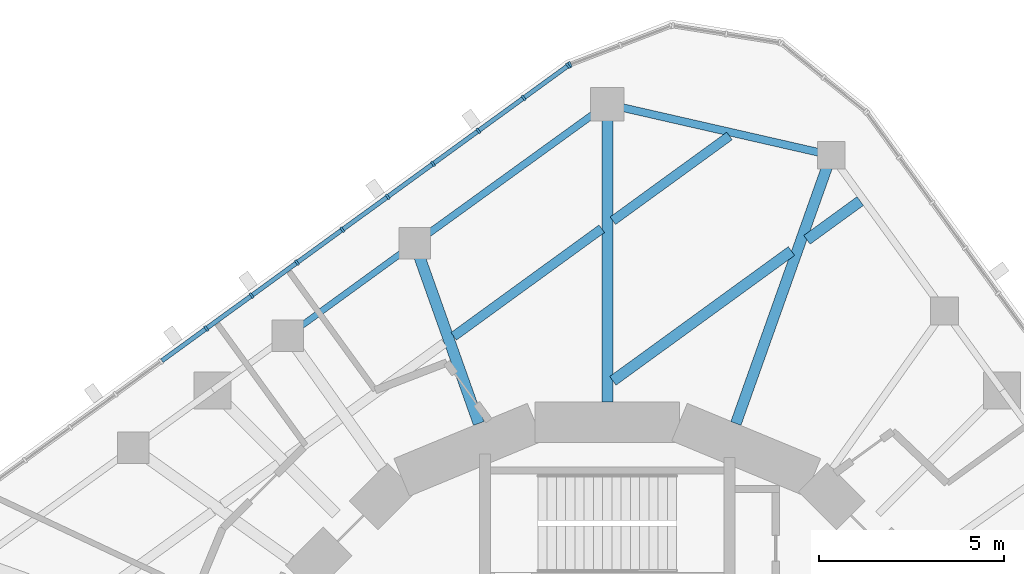
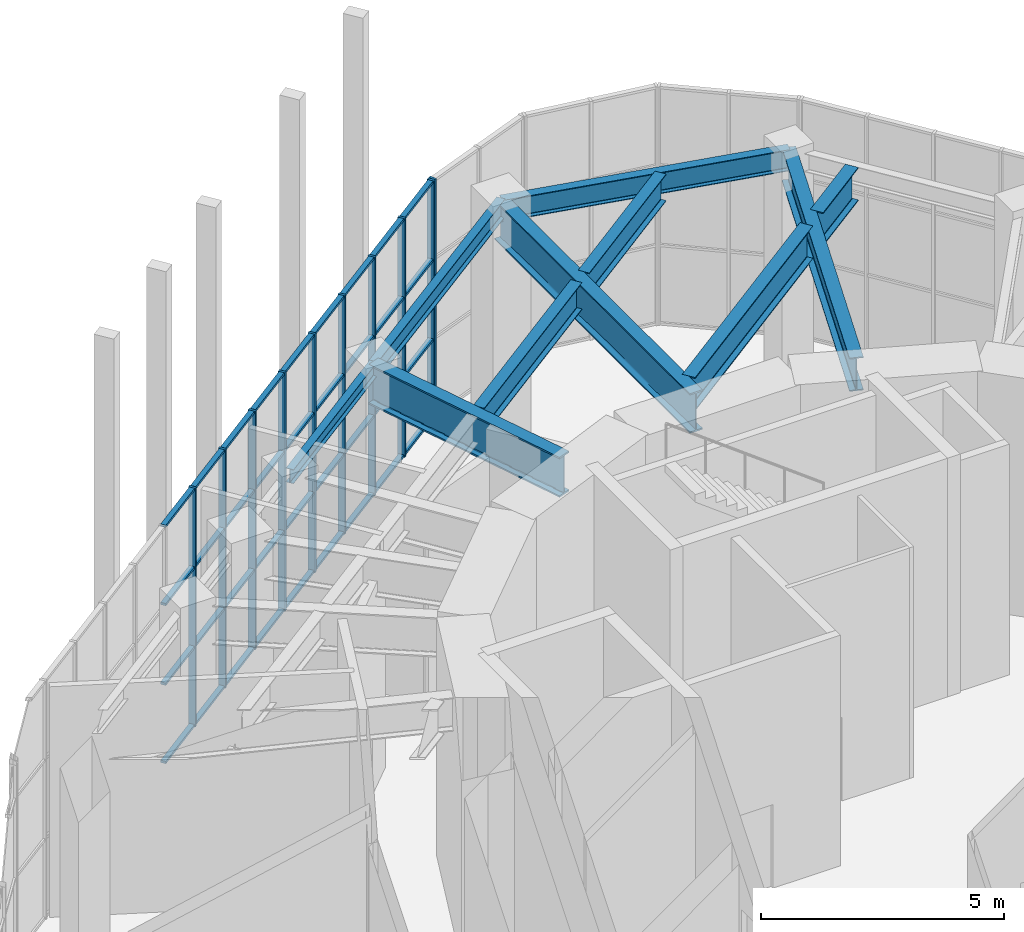
# One storey, part 9 of 17: 46 members, 10 beams, 2 elements without a shape of their own.
"""IFC4 building model written with IfcOpenShell, lengths in metres."""

from ifc_helpers import new_model, si_unit, direction, frame, origin, origin_2d, place, context, subcontext, project, spatial, rectangle, i_section, extrude, material, material_profile, profile_set, type_object, element, aggregate, save


model = new_model("IFC4")

# Units and contexts
model_context = context("Model", 3, precision=1e-05, world=origin(), true_north=direction((0.0, 1.0)))
body_context = subcontext(model_context, "Body", "Model", "MODEL_VIEW")
ifc_project = project(units=[si_unit("LENGTHUNIT", "METRE"), si_unit("AREAUNIT", "SQUARE_METRE"), si_unit("VOLUMEUNIT", "CUBIC_METRE"), si_unit("PLANEANGLEUNIT", "RADIAN"), si_unit("MASSUNIT", "GRAM", prefix="KILO")], contexts=[model_context])

# Site, building, storey
site_placement = place(None, origin())
site = spatial("IfcSite", under=ifc_project, at=site_placement, CompositionType="ELEMENT")
building_placement = place(site_placement, origin())
building = spatial("IfcBuilding", under=site, at=building_placement, Name="Nakasero Lantern House", CompositionType="ELEMENT")
storey_placement = place(building_placement, frame((0.0, 0.0, 298.39990234375)))
storey = spatial("IfcBuildingStorey", under=building, at=storey_placement, Name="L73", CompositionType="ELEMENT", Elevation=298.39990234375)

# Beams
ifc_material_1 = material(Name="Steel S355", Category="steel")
ifc_material_profile_1 = material_profile(ifc_material_1, i_section(OverallWidth=0.253662109375, OverallDepth=0.68359375, WebThickness=0.012451171875, FlangeThickness=0.01904296875, FilletRadius=0.01513671875, at=origin_2d()), Name="UB 686x254x140")
ifc_profile_set_1 = profile_set([ifc_material_profile_1], Name="Steel S355")
beam_type_1 = type_object("IfcBeamType", Name="Infill beam UB 686x254x140", PredefinedType="JOIST", material=ifc_profile_set_1)
beam_1_placement = place(storey_placement, frame((-4.151123046875, 12.125732421875, 5.458251953125), z_axis=(0.809000691709, 0.587807690333, 0.0), x_axis=(-0.587807690333, 0.809000691709, 0.0)))
element("IfcBeam", 1, at=beam_1_placement, inside=storey, type_object=beam_type_1, Name="Infill beam L74 10.6", PredefinedType="JOIST", context=body_context, shape_type="SweptSolid", body=[
    extrude(i_section(OverallWidth=0.253662109375, OverallDepth=0.68359375, WebThickness=0.012451171875, FlangeThickness=0.01904296875, FilletRadius=0.01513671875, at=origin_2d()), origin(), (0.0, 0.0, 1.0), 4.94580078125),
])
beam_2_placement = place(storey_placement, frame((0.14990234375, 15.250732421875, 5.458251953125), z_axis=(0.808996267662, 0.587813779107, 0.0), x_axis=(-0.587813779107, 0.808996267662, 0.0)))
element("IfcBeam", 2, at=beam_2_placement, inside=storey, type_object=beam_type_1, Name="Infill beam L74 10.7", PredefinedType="JOIST", context=body_context, shape_type="SweptSolid", body=[
    extrude(i_section(OverallWidth=0.253662109375, OverallDepth=0.68359375, WebThickness=0.012451171875, FlangeThickness=0.01904296875, FilletRadius=0.01513671875, at=origin_2d()), origin(), (0.0, 0.0, 1.0), 3.894287109375),
])
ifc_material_2 = material(Name="Steel S355", Category="steel")
ifc_material_profile_2 = material_profile(ifc_material_2, i_section(OverallWidth=0.29248046875, OverallDepth=0.8408203125, WebThickness=0.0146484375, FlangeThickness=0.02685546875, FilletRadius=0.017822265625, at=origin_2d()), Name="UB 838x292x194")
ifc_profile_set_2 = profile_set([ifc_material_profile_2], Name="Steel S355")
beam_type_2 = type_object("IfcBeamType", Name="Infill beam UB 838x292x194", PredefinedType="JOIST", material=ifc_profile_set_2)
beam_3_placement = place(storey_placement, frame((0.14990234375, 10.924560546875, 5.379638671875), z_axis=(0.809028012961, 0.587770086211, 0.0), x_axis=(-0.587770086211, 0.809028012961, 0.0)))
element("IfcBeam", 3, at=beam_3_placement, inside=storey, type_object=beam_type_2, Name="Infill beam L74 09.3", PredefinedType="JOIST", context=body_context, shape_type="SweptSolid", body=[
    extrude(i_section(OverallWidth=0.29248046875, OverallDepth=0.8408203125, WebThickness=0.0146484375, FlangeThickness=0.02685546875, FilletRadius=0.017822265625, at=origin_2d()), origin(), (0.0, 0.0, 1.0), 5.965087890625),
])
beam_4_placement = place(storey_placement, frame((5.394287109375, 14.734619140625, 5.379638671875), z_axis=(0.809008801443, 0.587796528731, 0.0), x_axis=(-0.587796528731, 0.809008801443, 0.0)))
element("IfcBeam", 4, at=beam_4_placement, inside=storey, type_object=beam_type_2, Name="Infill beam L74 09.4", PredefinedType="JOIST", context=body_context, shape_type="SweptSolid", body=[
    extrude(i_section(OverallWidth=0.29248046875, OverallDepth=0.8408203125, WebThickness=0.0146484375, FlangeThickness=0.02685546875, FilletRadius=0.017822265625, at=origin_2d()), origin(), (0.0, 0.0, 1.0), 1.7802734375),
])

# Curtain wall, member
ifc_material_3 = material(Name="Aluminium 6063-T6 and glass", Category="aluminium")
curtain_wall_type = type_object("IfcCurtainWallType", Name="Lantern glazing CW-4", PredefinedType="USERDEFINED", material=ifc_material_3)
curtain_wall_1_placement = place(storey_placement, origin())
curtain_wall_1 = element("IfcCurtainWall", 5, at=curtain_wall_1_placement, inside=storey, type_object=curtain_wall_type, Name="Curtain wall CW-4 L73", ObjectType="UNITISED CURTAIN WALL", PredefinedType="USERDEFINED")
ifc_material_4 = material(Name="Aluminium 6063-T6", Category="aluminium")
ifc_material_profile_3 = material_profile(ifc_material_4, rectangle(XDim=0.06005859375, YDim=0.159912109375, at=origin_2d()), Name="CW-4 mullion 60x160")
ifc_profile_set_3 = profile_set([ifc_material_profile_3], Name="Aluminium 6063-T6")
member_type_1 = type_object("IfcMemberType", Name="Mullion CW-4", PredefinedType="MULLION", material=ifc_profile_set_3)
member_1_placement = place(storey_placement, frame((-1.006591796875, 19.46875, 0.0), z_axis=(0.0, 0.0, 1.0), x_axis=(-0.933580426497, -0.358367949545, 0.0)))
member_1 = element("IfcMember", 6, at=member_1_placement, type_object=member_type_1, Name="CW-4 mullion 3", PredefinedType="MULLION", context=body_context, shape_type="SweptSolid", body=[
    extrude(rectangle(XDim=0.06005859375, YDim=0.159912109375, at=origin_2d()), origin(), (0.0, 0.0, 1.0), 6.0),
])
aggregate(curtain_wall_1, [member_1])

# Curtain wall, members
curtain_wall_2_placement = place(storey_placement, origin())
curtain_wall_2 = element("IfcCurtainWall", 7, at=curtain_wall_2_placement, inside=storey, type_object=curtain_wall_type, Name="Curtain wall CW-4 L73", ObjectType="UNITISED CURTAIN WALL", PredefinedType="USERDEFINED")
member_2_placement = place(storey_placement, frame((-1.05908203125, 19.4404296875, 0.0), z_axis=(0.0, 0.0, 1.0), x_axis=(-0.809016994375, -0.587785252292, 0.0)))
member_2 = element("IfcMember", 8, at=member_2_placement, type_object=member_type_1, Name="CW-4 mullion 1", PredefinedType="MULLION", context=body_context, shape_type="SweptSolid", body=[
    extrude(rectangle(XDim=0.06005859375, YDim=0.159912109375, at=origin_2d()), origin(), (0.0, 0.0, 1.0), 6.0),
])
member_3_placement = place(storey_placement, frame((-2.259765625, 18.56787109375, 0.0), z_axis=(0.0, 0.0, 1.0), x_axis=(-0.809016994375, -0.587785252292, 0.0)))
member_3 = element("IfcMember", 9, at=member_3_placement, type_object=member_type_1, Name="CW-4 mullion 2", PredefinedType="MULLION", context=body_context, shape_type="SweptSolid", body=[
    extrude(rectangle(XDim=0.06005859375, YDim=0.159912109375, at=origin_2d()), origin(), (0.0, 0.0, 1.0), 6.0),
])
member_4_placement = place(storey_placement, frame((-3.48486328125, 17.677734375, 0.0), z_axis=(0.0, 0.0, 1.0), x_axis=(-0.809016994375, -0.587785252292, 0.0)))
member_4 = element("IfcMember", 10, at=member_4_placement, type_object=member_type_1, Name="CW-4 mullion 3", PredefinedType="MULLION", context=body_context, shape_type="SweptSolid", body=[
    extrude(rectangle(XDim=0.06005859375, YDim=0.159912109375, at=origin_2d()), origin(), (0.0, 0.0, 1.0), 6.0),
])
member_5_placement = place(storey_placement, frame((-4.7099609375, 16.787841796875, 0.0), z_axis=(0.0, 0.0, 1.0), x_axis=(-0.809016994375, -0.587785252292, 0.0)))
member_5 = element("IfcMember", 11, at=member_5_placement, type_object=member_type_1, Name="CW-4 mullion 4", PredefinedType="MULLION", context=body_context, shape_type="SweptSolid", body=[
    extrude(rectangle(XDim=0.06005859375, YDim=0.159912109375, at=origin_2d()), origin(), (0.0, 0.0, 1.0), 6.0),
])
member_6_placement = place(storey_placement, frame((-5.93505859375, 15.897705078125, 0.0), z_axis=(0.0, 0.0, 1.0), x_axis=(-0.809016994375, -0.587785252292, 0.0)))
member_6 = element("IfcMember", 12, at=member_6_placement, type_object=member_type_1, Name="CW-4 mullion 5", PredefinedType="MULLION", context=body_context, shape_type="SweptSolid", body=[
    extrude(rectangle(XDim=0.06005859375, YDim=0.159912109375, at=origin_2d()), origin(), (0.0, 0.0, 1.0), 6.0),
])
member_7_placement = place(storey_placement, frame((-7.16015625, 15.007568359375, 0.0), z_axis=(0.0, 0.0, 1.0), x_axis=(-0.809016994375, -0.587785252292, 0.0)))
member_7 = element("IfcMember", 13, at=member_7_placement, type_object=member_type_1, Name="CW-4 mullion 6", PredefinedType="MULLION", context=body_context, shape_type="SweptSolid", body=[
    extrude(rectangle(XDim=0.06005859375, YDim=0.159912109375, at=origin_2d()), origin(), (0.0, 0.0, 1.0), 6.0),
])
member_8_placement = place(storey_placement, frame((-8.38525390625, 14.117431640625, 0.0), z_axis=(0.0, 0.0, 1.0), x_axis=(-0.809016994375, -0.587785252292, 0.0)))
member_8 = element("IfcMember", 14, at=member_8_placement, type_object=member_type_1, Name="CW-4 mullion 7", PredefinedType="MULLION", context=body_context, shape_type="SweptSolid", body=[
    extrude(rectangle(XDim=0.06005859375, YDim=0.159912109375, at=origin_2d()), origin(), (0.0, 0.0, 1.0), 6.0),
])
member_9_placement = place(storey_placement, frame((-9.6103515625, 13.2275390625, 0.0), z_axis=(0.0, 0.0, 1.0), x_axis=(-0.809016994375, -0.587785252292, 0.0)))
member_9 = element("IfcMember", 15, at=member_9_placement, type_object=member_type_1, Name="CW-4 mullion 8", PredefinedType="MULLION", context=body_context, shape_type="SweptSolid", body=[
    extrude(rectangle(XDim=0.06005859375, YDim=0.159912109375, at=origin_2d()), origin(), (0.0, 0.0, 1.0), 6.0),
])
member_10_placement = place(storey_placement, frame((-10.83544921875, 12.33740234375, 0.0), z_axis=(0.0, 0.0, 1.0), x_axis=(-0.809016994375, -0.587785252292, 0.0)))
member_10 = element("IfcMember", 16, at=member_10_placement, type_object=member_type_1, Name="CW-4 mullion 9", PredefinedType="MULLION", context=body_context, shape_type="SweptSolid", body=[
    extrude(rectangle(XDim=0.06005859375, YDim=0.159912109375, at=origin_2d()), origin(), (0.0, 0.0, 1.0), 6.0),
])

# Beams
ifc_material_5 = material(Name="Steel S355", Category="steel")
ifc_material_profile_4 = material_profile(ifc_material_5, i_section(OverallWidth=0.300048828125, OverallDepth=1.0, WebThickness=0.01904296875, FlangeThickness=0.035888671875, FilletRadius=0.030029296875, at=origin_2d()), Name="UB 1016x305x314")
ifc_profile_set_4 = profile_set([ifc_material_profile_4], Name="Steel S355")
beam_type_3 = type_object("IfcBeamType", Name="Primary beam UB 1016x305x314, span 6 to 9 m", PredefinedType="BEAM", material=ifc_profile_set_4)
beam_5_placement = place(storey_placement, frame((0.0, 18.39990234375, 5.300048828125), z_axis=(0.0, -1.0, 0.0), x_axis=(1.0, 0.0, 0.0)))
element("IfcBeam", 17, at=beam_5_placement, inside=storey, type_object=beam_type_3, Name="Primary beam L74 B7-C09", PredefinedType="BEAM", context=body_context, shape_type="SweptSolid", body=[
    extrude(i_section(OverallWidth=0.300048828125, OverallDepth=1.0, WebThickness=0.01904296875, FlangeThickness=0.035888671875, FilletRadius=0.030029296875, at=origin_2d()), origin(), (0.0, 0.0, 1.0), 8.0419921875),
])
ifc_material_6 = material(Name="Steel S355", Category="steel")
ifc_material_profile_5 = material_profile(ifc_material_6, i_section(OverallWidth=0.302001953125, OverallDepth=1.008056640625, WebThickness=0.02099609375, FlangeThickness=0.0400390625, FilletRadius=0.030029296875, at=origin_2d()), Name="UB 1016x305x349")
ifc_profile_set_5 = profile_set([ifc_material_profile_5], Name="Steel S355")
beam_type_4 = type_object("IfcBeamType", Name="Primary beam UB 1016x305x349, span to 6 m", PredefinedType="BEAM", material=ifc_profile_set_5)
beam_6_placement = place(storey_placement, frame((-5.2041015625, 14.636474609375, 5.296142578125), z_axis=(0.3349910093, -0.942221324153, 0.0), x_axis=(0.942221324153, 0.3349910093, 0.0)))
element("IfcBeam", 18, at=beam_6_placement, inside=storey, type_object=beam_type_4, Name="Primary beam L74 B7-C10", PredefinedType="BEAM", context=body_context, shape_type="SweptSolid", body=[
    extrude(i_section(OverallWidth=0.302001953125, OverallDepth=1.008056640625, WebThickness=0.02099609375, FlangeThickness=0.0400390625, FilletRadius=0.030029296875, at=origin_2d()), origin(), (0.0, 0.0, 1.0), 5.162841796875),
])
ifc_material_7 = material(Name="Steel S355", Category="steel")
ifc_material_profile_6 = material_profile(ifc_material_7, i_section(OverallWidth=0.29248046875, OverallDepth=0.8408203125, WebThickness=0.0146484375, FlangeThickness=0.02685546875, FilletRadius=0.017822265625, at=origin_2d()), Name="UB 838x292x194")
ifc_profile_set_6 = profile_set([ifc_material_profile_6], Name="Steel S355")
beam_type_5 = type_object("IfcBeamType", Name="Primary beam UB 838x292x194, span 6 to 9 m", PredefinedType="BEAM", material=ifc_profile_set_6)
beam_7_placement = place(storey_placement, frame((6.051513671875, 17.02001953125, 5.379638671875), z_axis=(-0.334989005521, -0.942222036561, 0.0), x_axis=(0.942222036561, -0.334989005521, 0.0)))
element("IfcBeam", 19, at=beam_7_placement, inside=storey, type_object=beam_type_5, Name="Primary beam L74 B7-C08", PredefinedType="BEAM", context=body_context, shape_type="SweptSolid", body=[
    extrude(i_section(OverallWidth=0.29248046875, OverallDepth=0.8408203125, WebThickness=0.0146484375, FlangeThickness=0.02685546875, FilletRadius=0.017822265625, at=origin_2d()), origin(), (0.0, 0.0, 1.0), 7.6923828125),
])
ifc_material_8 = material(Name="Steel S355", Category="steel")
ifc_material_profile_7 = material_profile(ifc_material_8, i_section(OverallWidth=0.17138671875, OverallDepth=0.35498046875, WebThickness=0.00732421875, FlangeThickness=0.011474609375, FilletRadius=0.01025390625, at=origin_2d()), Name="UB 356x171x51")
ifc_profile_set_7 = profile_set([ifc_material_profile_7], Name="Steel S355")
beam_type_6 = type_object("IfcBeamType", Name="Ring beam UB 356x171x51", PredefinedType="BEAM", material=ifc_profile_set_7)
beam_8_placement = place(storey_placement, frame((-5.2041015625, 14.636474609375, 5.62255859375), z_axis=(-0.809012304944, -0.587791706687, 0.0), x_axis=(0.587791706687, -0.809012304944, 0.0)))
element("IfcBeam", 20, at=beam_8_placement, inside=storey, type_object=beam_type_6, Name="Ring beam L74 B7-C10", PredefinedType="BEAM", context=body_context, shape_type="SweptSolid", body=[
    extrude(i_section(OverallWidth=0.17138671875, OverallDepth=0.35498046875, WebThickness=0.00732421875, FlangeThickness=0.011474609375, FilletRadius=0.01025390625, at=origin_2d()), origin(), (0.0, 0.0, 1.0), 4.2412109375),
])
ifc_material_9 = material(Name="Steel S355", Category="steel")
ifc_material_profile_8 = material_profile(ifc_material_9, i_section(OverallWidth=0.19140625, OverallDepth=0.4599609375, WebThickness=0.010009765625, FlangeThickness=0.01611328125, FilletRadius=0.01025390625, at=origin_2d()), Name="UB 457x191x82")
ifc_profile_set_8 = profile_set([ifc_material_profile_8], Name="Steel S355")
beam_type_7 = type_object("IfcBeamType", Name="Ring beam UB 457x191x82", PredefinedType="BEAM", material=ifc_profile_set_8)
beam_9_placement = place(storey_placement, frame((0.0, 18.39990234375, 5.570068359375), z_axis=(-0.810316200404, -0.58599287996, 0.0), x_axis=(0.58599287996, -0.810316200404, 0.0)))
element("IfcBeam", 21, at=beam_9_placement, inside=storey, type_object=beam_type_7, Name="Ring beam L74 B7-C09", PredefinedType="BEAM", context=body_context, shape_type="SweptSolid", body=[
    extrude(i_section(OverallWidth=0.19140625, OverallDepth=0.4599609375, WebThickness=0.010009765625, FlangeThickness=0.01611328125, FilletRadius=0.01025390625, at=origin_2d()), origin(), (0.0, 0.0, 1.0), 6.42236328125),
])
ifc_material_10 = material(Name="Steel S355", Category="steel")
ifc_material_profile_9 = material_profile(ifc_material_10, i_section(OverallWidth=0.2099609375, OverallDepth=0.53662109375, WebThickness=0.0107421875, FlangeThickness=0.017333984375, FilletRadius=0.0126953125, at=origin_2d()), Name="UB 533x210x101")
ifc_profile_set_9 = profile_set([ifc_material_profile_9], Name="Steel S355")
beam_type_8 = type_object("IfcBeamType", Name="Ring beam UB 533x210x101", PredefinedType="BEAM", material=ifc_profile_set_9)
beam_10_placement = place(storey_placement, frame((6.051513671875, 17.02001953125, 5.53173828125), z_axis=(-0.974974575944, 0.222316387753, 0.0), x_axis=(-0.222316387753, -0.974974575944, 0.0)))
element("IfcBeam", 22, at=beam_10_placement, inside=storey, type_object=beam_type_8, Name="Ring beam L74 B7-C08", PredefinedType="BEAM", context=body_context, shape_type="SweptSolid", body=[
    extrude(i_section(OverallWidth=0.2099609375, OverallDepth=0.53662109375, WebThickness=0.0107421875, FlangeThickness=0.017333984375, FilletRadius=0.0126953125, at=origin_2d()), origin(), (0.0, 0.0, 1.0), 6.206787109375),
])

# Member
ifc_material_11 = material(Name="Aluminium 6063-T6", Category="aluminium")
ifc_material_profile_10 = material_profile(ifc_material_11, rectangle(XDim=0.06005859375, YDim=0.1201171875, at=origin_2d()), Name="CW-4 transom 60x120")
ifc_profile_set_10 = profile_set([ifc_material_profile_10], Name="Aluminium 6063-T6")
member_type_2 = type_object("IfcMemberType", Name="Transom CW-4", PredefinedType="USERDEFINED", material=ifc_profile_set_10)
member_11_placement = place(storey_placement, frame((-1.083251953125, 19.422607421875, 0.030029296875), z_axis=(-0.809039875893, -0.587753757296, 0.0), x_axis=(0.0, 0.0, 1.0)))
member_11 = element("IfcMember", 23, at=member_11_placement, type_object=member_type_2, Name="CW-4 transom 1.1", ObjectType="TRANSOM", PredefinedType="USERDEFINED", context=body_context, shape_type="SweptSolid", body=[
    extrude(rectangle(XDim=0.06005859375, YDim=0.1201171875, at=origin_2d()), origin(), (0.0, 0.0, 1.0), 1.42431640625),
])

member_12_placement = place(storey_placement, frame((-1.083251953125, 19.422607421875, 2.0), z_axis=(-0.809039875893, -0.587753757296, 0.0), x_axis=(0.0, 0.0, 1.0)))
member_12 = element("IfcMember", 24, at=member_12_placement, type_object=member_type_2, Name="CW-4 transom 1.2", ObjectType="TRANSOM", PredefinedType="USERDEFINED", context=body_context, shape_type="SweptSolid", body=[
    extrude(rectangle(XDim=0.06005859375, YDim=0.1201171875, at=origin_2d()), origin(), (0.0, 0.0, 1.0), 1.42431640625),
])

member_13_placement = place(storey_placement, frame((-1.083251953125, 19.422607421875, 4.0), z_axis=(-0.809039875893, -0.587753757296, 0.0), x_axis=(0.0, 0.0, 1.0)))
member_13 = element("IfcMember", 25, at=member_13_placement, type_object=member_type_2, Name="CW-4 transom 1.3", ObjectType="TRANSOM", PredefinedType="USERDEFINED", context=body_context, shape_type="SweptSolid", body=[
    extrude(rectangle(XDim=0.06005859375, YDim=0.1201171875, at=origin_2d()), origin(), (0.0, 0.0, 1.0), 1.42431640625),
])

member_14_placement = place(storey_placement, frame((-1.083251953125, 19.422607421875, 5.97021484375), z_axis=(-0.809039875893, -0.587753757296, 0.0), x_axis=(0.0, 0.0, 1.0)))
member_14 = element("IfcMember", 26, at=member_14_placement, type_object=member_type_2, Name="CW-4 transom 1.4", ObjectType="TRANSOM", PredefinedType="USERDEFINED", context=body_context, shape_type="SweptSolid", body=[
    extrude(rectangle(XDim=0.06005859375, YDim=0.1201171875, at=origin_2d()), origin(), (0.0, 0.0, 1.0), 1.42431640625),
])

member_15_placement = place(storey_placement, frame((-2.2841796875, 18.55029296875, 0.030029296875), z_axis=(-0.809033634773, -0.587762348068, 0.0), x_axis=(0.0, 0.0, 1.0)))
member_15 = element("IfcMember", 27, at=member_15_placement, type_object=member_type_2, Name="CW-4 transom 2.1", ObjectType="TRANSOM", PredefinedType="USERDEFINED", context=body_context, shape_type="SweptSolid", body=[
    extrude(rectangle(XDim=0.06005859375, YDim=0.1201171875, at=origin_2d()), origin(), (0.0, 0.0, 1.0), 1.4541015625),
])

member_16_placement = place(storey_placement, frame((-2.2841796875, 18.55029296875, 2.0), z_axis=(-0.809033634773, -0.587762348068, 0.0), x_axis=(0.0, 0.0, 1.0)))
member_16 = element("IfcMember", 28, at=member_16_placement, type_object=member_type_2, Name="CW-4 transom 2.2", ObjectType="TRANSOM", PredefinedType="USERDEFINED", context=body_context, shape_type="SweptSolid", body=[
    extrude(rectangle(XDim=0.06005859375, YDim=0.1201171875, at=origin_2d()), origin(), (0.0, 0.0, 1.0), 1.4541015625),
])

member_17_placement = place(storey_placement, frame((-2.2841796875, 18.55029296875, 4.0), z_axis=(-0.809033634773, -0.587762348068, 0.0), x_axis=(0.0, 0.0, 1.0)))
member_17 = element("IfcMember", 29, at=member_17_placement, type_object=member_type_2, Name="CW-4 transom 2.3", ObjectType="TRANSOM", PredefinedType="USERDEFINED", context=body_context, shape_type="SweptSolid", body=[
    extrude(rectangle(XDim=0.06005859375, YDim=0.1201171875, at=origin_2d()), origin(), (0.0, 0.0, 1.0), 1.4541015625),
])

member_18_placement = place(storey_placement, frame((-2.2841796875, 18.55029296875, 5.97021484375), z_axis=(-0.809033634773, -0.587762348068, 0.0), x_axis=(0.0, 0.0, 1.0)))
member_18 = element("IfcMember", 30, at=member_18_placement, type_object=member_type_2, Name="CW-4 transom 2.4", ObjectType="TRANSOM", PredefinedType="USERDEFINED", context=body_context, shape_type="SweptSolid", body=[
    extrude(rectangle(XDim=0.06005859375, YDim=0.1201171875, at=origin_2d()), origin(), (0.0, 0.0, 1.0), 1.4541015625),
])

member_19_placement = place(storey_placement, frame((-3.509033203125, 17.66015625, 0.030029296875), z_axis=(-0.809091620979, -0.587682523869, 0.0), x_axis=(0.0, 0.0, 1.0)))
member_19 = element("IfcMember", 31, at=member_19_placement, type_object=member_type_2, Name="CW-4 transom 3.1", ObjectType="TRANSOM", PredefinedType="USERDEFINED", context=body_context, shape_type="SweptSolid", body=[
    extrude(rectangle(XDim=0.06005859375, YDim=0.1201171875, at=origin_2d()), origin(), (0.0, 0.0, 1.0), 1.454345703125),
])

member_20_placement = place(storey_placement, frame((-3.509033203125, 17.66015625, 2.0), z_axis=(-0.809091620979, -0.587682523869, 0.0), x_axis=(0.0, 0.0, 1.0)))
member_20 = element("IfcMember", 32, at=member_20_placement, type_object=member_type_2, Name="CW-4 transom 3.2", ObjectType="TRANSOM", PredefinedType="USERDEFINED", context=body_context, shape_type="SweptSolid", body=[
    extrude(rectangle(XDim=0.06005859375, YDim=0.1201171875, at=origin_2d()), origin(), (0.0, 0.0, 1.0), 1.454345703125),
])

member_21_placement = place(storey_placement, frame((-3.509033203125, 17.66015625, 4.0), z_axis=(-0.809091620979, -0.587682523869, 0.0), x_axis=(0.0, 0.0, 1.0)))
member_21 = element("IfcMember", 33, at=member_21_placement, type_object=member_type_2, Name="CW-4 transom 3.3", ObjectType="TRANSOM", PredefinedType="USERDEFINED", context=body_context, shape_type="SweptSolid", body=[
    extrude(rectangle(XDim=0.06005859375, YDim=0.1201171875, at=origin_2d()), origin(), (0.0, 0.0, 1.0), 1.454345703125),
])

member_22_placement = place(storey_placement, frame((-3.509033203125, 17.66015625, 5.97021484375), z_axis=(-0.809091620979, -0.587682523869, 0.0), x_axis=(0.0, 0.0, 1.0)))
member_22 = element("IfcMember", 34, at=member_22_placement, type_object=member_type_2, Name="CW-4 transom 3.4", ObjectType="TRANSOM", PredefinedType="USERDEFINED", context=body_context, shape_type="SweptSolid", body=[
    extrude(rectangle(XDim=0.06005859375, YDim=0.1201171875, at=origin_2d()), origin(), (0.0, 0.0, 1.0), 1.454345703125),
])

member_23_placement = place(storey_placement, frame((-4.734130859375, 16.77001953125, 0.030029296875), z_axis=(-0.809091620979, -0.587682523869, 0.0), x_axis=(0.0, 0.0, 1.0)))
member_23 = element("IfcMember", 35, at=member_23_placement, type_object=member_type_2, Name="CW-4 transom 4.1", ObjectType="TRANSOM", PredefinedType="USERDEFINED", context=body_context, shape_type="SweptSolid", body=[
    extrude(rectangle(XDim=0.06005859375, YDim=0.1201171875, at=origin_2d()), origin(), (0.0, 0.0, 1.0), 1.454345703125),
])

member_24_placement = place(storey_placement, frame((-4.734130859375, 16.77001953125, 2.0), z_axis=(-0.809091620979, -0.587682523869, 0.0), x_axis=(0.0, 0.0, 1.0)))
member_24 = element("IfcMember", 36, at=member_24_placement, type_object=member_type_2, Name="CW-4 transom 4.2", ObjectType="TRANSOM", PredefinedType="USERDEFINED", context=body_context, shape_type="SweptSolid", body=[
    extrude(rectangle(XDim=0.06005859375, YDim=0.1201171875, at=origin_2d()), origin(), (0.0, 0.0, 1.0), 1.454345703125),
])

member_25_placement = place(storey_placement, frame((-4.734130859375, 16.77001953125, 4.0), z_axis=(-0.809091620979, -0.587682523869, 0.0), x_axis=(0.0, 0.0, 1.0)))
member_25 = element("IfcMember", 37, at=member_25_placement, type_object=member_type_2, Name="CW-4 transom 4.3", ObjectType="TRANSOM", PredefinedType="USERDEFINED", context=body_context, shape_type="SweptSolid", body=[
    extrude(rectangle(XDim=0.06005859375, YDim=0.1201171875, at=origin_2d()), origin(), (0.0, 0.0, 1.0), 1.454345703125),
])

member_26_placement = place(storey_placement, frame((-4.734130859375, 16.77001953125, 5.97021484375), z_axis=(-0.809091620979, -0.587682523869, 0.0), x_axis=(0.0, 0.0, 1.0)))
member_26 = element("IfcMember", 38, at=member_26_placement, type_object=member_type_2, Name="CW-4 transom 4.4", ObjectType="TRANSOM", PredefinedType="USERDEFINED", context=body_context, shape_type="SweptSolid", body=[
    extrude(rectangle(XDim=0.06005859375, YDim=0.1201171875, at=origin_2d()), origin(), (0.0, 0.0, 1.0), 1.454345703125),
])

member_27_placement = place(storey_placement, frame((-5.959228515625, 15.880126953125, 0.030029296875), z_axis=(-0.808953803009, -0.587872217916, 0.0), x_axis=(0.0, 0.0, 1.0)))
member_27 = element("IfcMember", 39, at=member_27_placement, type_object=member_type_2, Name="CW-4 transom 5.1", ObjectType="TRANSOM", PredefinedType="USERDEFINED", context=body_context, shape_type="SweptSolid", body=[
    extrude(rectangle(XDim=0.06005859375, YDim=0.1201171875, at=origin_2d()), origin(), (0.0, 0.0, 1.0), 1.454345703125),
])

member_28_placement = place(storey_placement, frame((-5.959228515625, 15.880126953125, 2.0), z_axis=(-0.808953803009, -0.587872217916, 0.0), x_axis=(0.0, 0.0, 1.0)))
member_28 = element("IfcMember", 40, at=member_28_placement, type_object=member_type_2, Name="CW-4 transom 5.2", ObjectType="TRANSOM", PredefinedType="USERDEFINED", context=body_context, shape_type="SweptSolid", body=[
    extrude(rectangle(XDim=0.06005859375, YDim=0.1201171875, at=origin_2d()), origin(), (0.0, 0.0, 1.0), 1.454345703125),
])

member_29_placement = place(storey_placement, frame((-5.959228515625, 15.880126953125, 4.0), z_axis=(-0.808953803009, -0.587872217916, 0.0), x_axis=(0.0, 0.0, 1.0)))
member_29 = element("IfcMember", 41, at=member_29_placement, type_object=member_type_2, Name="CW-4 transom 5.3", ObjectType="TRANSOM", PredefinedType="USERDEFINED", context=body_context, shape_type="SweptSolid", body=[
    extrude(rectangle(XDim=0.06005859375, YDim=0.1201171875, at=origin_2d()), origin(), (0.0, 0.0, 1.0), 1.454345703125),
])

member_30_placement = place(storey_placement, frame((-5.959228515625, 15.880126953125, 5.97021484375), z_axis=(-0.808953803009, -0.587872217916, 0.0), x_axis=(0.0, 0.0, 1.0)))
member_30 = element("IfcMember", 42, at=member_30_placement, type_object=member_type_2, Name="CW-4 transom 5.4", ObjectType="TRANSOM", PredefinedType="USERDEFINED", context=body_context, shape_type="SweptSolid", body=[
    extrude(rectangle(XDim=0.06005859375, YDim=0.1201171875, at=origin_2d()), origin(), (0.0, 0.0, 1.0), 1.454345703125),
])

member_31_placement = place(storey_placement, frame((-7.184326171875, 14.989990234375, 0.030029296875), z_axis=(-0.809033634773, -0.587762348068, 0.0), x_axis=(0.0, 0.0, 1.0)))
member_31 = element("IfcMember", 43, at=member_31_placement, type_object=member_type_2, Name="CW-4 transom 6.1", ObjectType="TRANSOM", PredefinedType="USERDEFINED", context=body_context, shape_type="SweptSolid", body=[
    extrude(rectangle(XDim=0.06005859375, YDim=0.1201171875, at=origin_2d()), origin(), (0.0, 0.0, 1.0), 1.4541015625),
])

member_32_placement = place(storey_placement, frame((-7.184326171875, 14.989990234375, 2.0), z_axis=(-0.809033634773, -0.587762348068, 0.0), x_axis=(0.0, 0.0, 1.0)))
member_32 = element("IfcMember", 44, at=member_32_placement, type_object=member_type_2, Name="CW-4 transom 6.2", ObjectType="TRANSOM", PredefinedType="USERDEFINED", context=body_context, shape_type="SweptSolid", body=[
    extrude(rectangle(XDim=0.06005859375, YDim=0.1201171875, at=origin_2d()), origin(), (0.0, 0.0, 1.0), 1.4541015625),
])

member_33_placement = place(storey_placement, frame((-7.184326171875, 14.989990234375, 4.0), z_axis=(-0.809033634773, -0.587762348068, 0.0), x_axis=(0.0, 0.0, 1.0)))
member_33 = element("IfcMember", 45, at=member_33_placement, type_object=member_type_2, Name="CW-4 transom 6.3", ObjectType="TRANSOM", PredefinedType="USERDEFINED", context=body_context, shape_type="SweptSolid", body=[
    extrude(rectangle(XDim=0.06005859375, YDim=0.1201171875, at=origin_2d()), origin(), (0.0, 0.0, 1.0), 1.4541015625),
])

member_34_placement = place(storey_placement, frame((-7.184326171875, 14.989990234375, 5.97021484375), z_axis=(-0.809033634773, -0.587762348068, 0.0), x_axis=(0.0, 0.0, 1.0)))
member_34 = element("IfcMember", 46, at=member_34_placement, type_object=member_type_2, Name="CW-4 transom 6.4", ObjectType="TRANSOM", PredefinedType="USERDEFINED", context=body_context, shape_type="SweptSolid", body=[
    extrude(rectangle(XDim=0.06005859375, YDim=0.1201171875, at=origin_2d()), origin(), (0.0, 0.0, 1.0), 1.4541015625),
])

member_35_placement = place(storey_placement, frame((-8.409423828125, 14.099853515625, 0.030029296875), z_axis=(-0.809033634773, -0.587762348068, 0.0), x_axis=(0.0, 0.0, 1.0)))
member_35 = element("IfcMember", 47, at=member_35_placement, type_object=member_type_2, Name="CW-4 transom 7.1", ObjectType="TRANSOM", PredefinedType="USERDEFINED", context=body_context, shape_type="SweptSolid", body=[
    extrude(rectangle(XDim=0.06005859375, YDim=0.1201171875, at=origin_2d()), origin(), (0.0, 0.0, 1.0), 1.4541015625),
])

member_36_placement = place(storey_placement, frame((-8.409423828125, 14.099853515625, 2.0), z_axis=(-0.809033634773, -0.587762348068, 0.0), x_axis=(0.0, 0.0, 1.0)))
member_36 = element("IfcMember", 48, at=member_36_placement, type_object=member_type_2, Name="CW-4 transom 7.2", ObjectType="TRANSOM", PredefinedType="USERDEFINED", context=body_context, shape_type="SweptSolid", body=[
    extrude(rectangle(XDim=0.06005859375, YDim=0.1201171875, at=origin_2d()), origin(), (0.0, 0.0, 1.0), 1.4541015625),
])

member_37_placement = place(storey_placement, frame((-8.409423828125, 14.099853515625, 4.0), z_axis=(-0.809033634773, -0.587762348068, 0.0), x_axis=(0.0, 0.0, 1.0)))
member_37 = element("IfcMember", 49, at=member_37_placement, type_object=member_type_2, Name="CW-4 transom 7.3", ObjectType="TRANSOM", PredefinedType="USERDEFINED", context=body_context, shape_type="SweptSolid", body=[
    extrude(rectangle(XDim=0.06005859375, YDim=0.1201171875, at=origin_2d()), origin(), (0.0, 0.0, 1.0), 1.4541015625),
])

member_38_placement = place(storey_placement, frame((-8.409423828125, 14.099853515625, 5.97021484375), z_axis=(-0.809033634773, -0.587762348068, 0.0), x_axis=(0.0, 0.0, 1.0)))
member_38 = element("IfcMember", 50, at=member_38_placement, type_object=member_type_2, Name="CW-4 transom 7.4", ObjectType="TRANSOM", PredefinedType="USERDEFINED", context=body_context, shape_type="SweptSolid", body=[
    extrude(rectangle(XDim=0.06005859375, YDim=0.1201171875, at=origin_2d()), origin(), (0.0, 0.0, 1.0), 1.4541015625),
])

member_39_placement = place(storey_placement, frame((-9.634521484375, 13.209716796875, 0.030029296875), z_axis=(-0.809033634773, -0.587762348068, 0.0), x_axis=(0.0, 0.0, 1.0)))
member_39 = element("IfcMember", 51, at=member_39_placement, type_object=member_type_2, Name="CW-4 transom 8.1", ObjectType="TRANSOM", PredefinedType="USERDEFINED", context=body_context, shape_type="SweptSolid", body=[
    extrude(rectangle(XDim=0.06005859375, YDim=0.1201171875, at=origin_2d()), origin(), (0.0, 0.0, 1.0), 1.4541015625),
])

member_40_placement = place(storey_placement, frame((-9.634521484375, 13.209716796875, 2.0), z_axis=(-0.809033634773, -0.587762348068, 0.0), x_axis=(0.0, 0.0, 1.0)))
member_40 = element("IfcMember", 52, at=member_40_placement, type_object=member_type_2, Name="CW-4 transom 8.2", ObjectType="TRANSOM", PredefinedType="USERDEFINED", context=body_context, shape_type="SweptSolid", body=[
    extrude(rectangle(XDim=0.06005859375, YDim=0.1201171875, at=origin_2d()), origin(), (0.0, 0.0, 1.0), 1.4541015625),
])

member_41_placement = place(storey_placement, frame((-9.634521484375, 13.209716796875, 4.0), z_axis=(-0.809033634773, -0.587762348068, 0.0), x_axis=(0.0, 0.0, 1.0)))
member_41 = element("IfcMember", 53, at=member_41_placement, type_object=member_type_2, Name="CW-4 transom 8.3", ObjectType="TRANSOM", PredefinedType="USERDEFINED", context=body_context, shape_type="SweptSolid", body=[
    extrude(rectangle(XDim=0.06005859375, YDim=0.1201171875, at=origin_2d()), origin(), (0.0, 0.0, 1.0), 1.4541015625),
])

member_42_placement = place(storey_placement, frame((-9.634521484375, 13.209716796875, 5.97021484375), z_axis=(-0.809033634773, -0.587762348068, 0.0), x_axis=(0.0, 0.0, 1.0)))
member_42 = element("IfcMember", 54, at=member_42_placement, type_object=member_type_2, Name="CW-4 transom 8.4", ObjectType="TRANSOM", PredefinedType="USERDEFINED", context=body_context, shape_type="SweptSolid", body=[
    extrude(rectangle(XDim=0.06005859375, YDim=0.1201171875, at=origin_2d()), origin(), (0.0, 0.0, 1.0), 1.4541015625),
])

member_43_placement = place(storey_placement, frame((-10.859619140625, 12.31982421875, 0.030029296875), z_axis=(-0.808953803009, -0.587872217916, 0.0), x_axis=(0.0, 0.0, 1.0)))
member_43 = element("IfcMember", 55, at=member_43_placement, type_object=member_type_2, Name="CW-4 transom 9.1", ObjectType="TRANSOM", PredefinedType="USERDEFINED", context=body_context, shape_type="SweptSolid", body=[
    extrude(rectangle(XDim=0.06005859375, YDim=0.1201171875, at=origin_2d()), origin(), (0.0, 0.0, 1.0), 1.454345703125),
])

member_44_placement = place(storey_placement, frame((-10.859619140625, 12.31982421875, 2.0), z_axis=(-0.808953803009, -0.587872217916, 0.0), x_axis=(0.0, 0.0, 1.0)))
member_44 = element("IfcMember", 56, at=member_44_placement, type_object=member_type_2, Name="CW-4 transom 9.2", ObjectType="TRANSOM", PredefinedType="USERDEFINED", context=body_context, shape_type="SweptSolid", body=[
    extrude(rectangle(XDim=0.06005859375, YDim=0.1201171875, at=origin_2d()), origin(), (0.0, 0.0, 1.0), 1.454345703125),
])

member_45_placement = place(storey_placement, frame((-10.859619140625, 12.31982421875, 4.0), z_axis=(-0.808953803009, -0.587872217916, 0.0), x_axis=(0.0, 0.0, 1.0)))
member_45 = element("IfcMember", 57, at=member_45_placement, type_object=member_type_2, Name="CW-4 transom 9.3", ObjectType="TRANSOM", PredefinedType="USERDEFINED", context=body_context, shape_type="SweptSolid", body=[
    extrude(rectangle(XDim=0.06005859375, YDim=0.1201171875, at=origin_2d()), origin(), (0.0, 0.0, 1.0), 1.454345703125),
])

member_46_placement = place(storey_placement, frame((-10.859619140625, 12.31982421875, 5.97021484375), z_axis=(-0.808953803009, -0.587872217916, 0.0), x_axis=(0.0, 0.0, 1.0)))
member_46 = element("IfcMember", 58, at=member_46_placement, type_object=member_type_2, Name="CW-4 transom 9.4", ObjectType="TRANSOM", PredefinedType="USERDEFINED", context=body_context, shape_type="SweptSolid", body=[
    extrude(rectangle(XDim=0.06005859375, YDim=0.1201171875, at=origin_2d()), origin(), (0.0, 0.0, 1.0), 1.454345703125),
])

aggregate(curtain_wall_2, [member_2, member_3, member_4, member_5, member_6, member_7, member_8, member_9, member_10, member_11, member_12, member_13, member_14, member_15, member_16, member_17, member_18, member_19, member_20, member_21, member_22, member_23, member_24, member_25, member_26, member_27, member_28, member_29, member_30, member_31, member_32, member_33, member_34, member_35, member_36, member_37, member_38, member_39, member_40, member_41, member_42, member_43, member_44, member_45, member_46])

save(model, "model.ifc")
